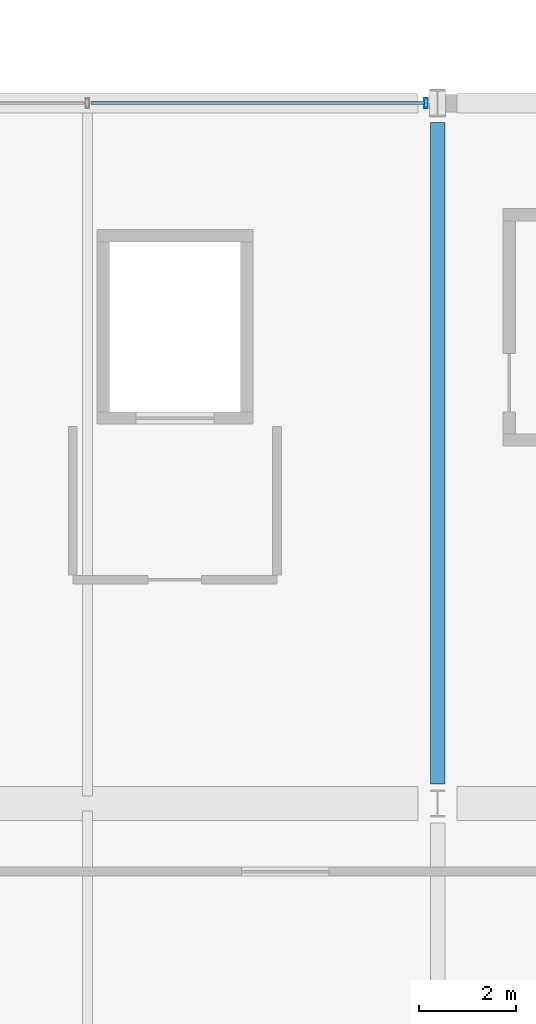
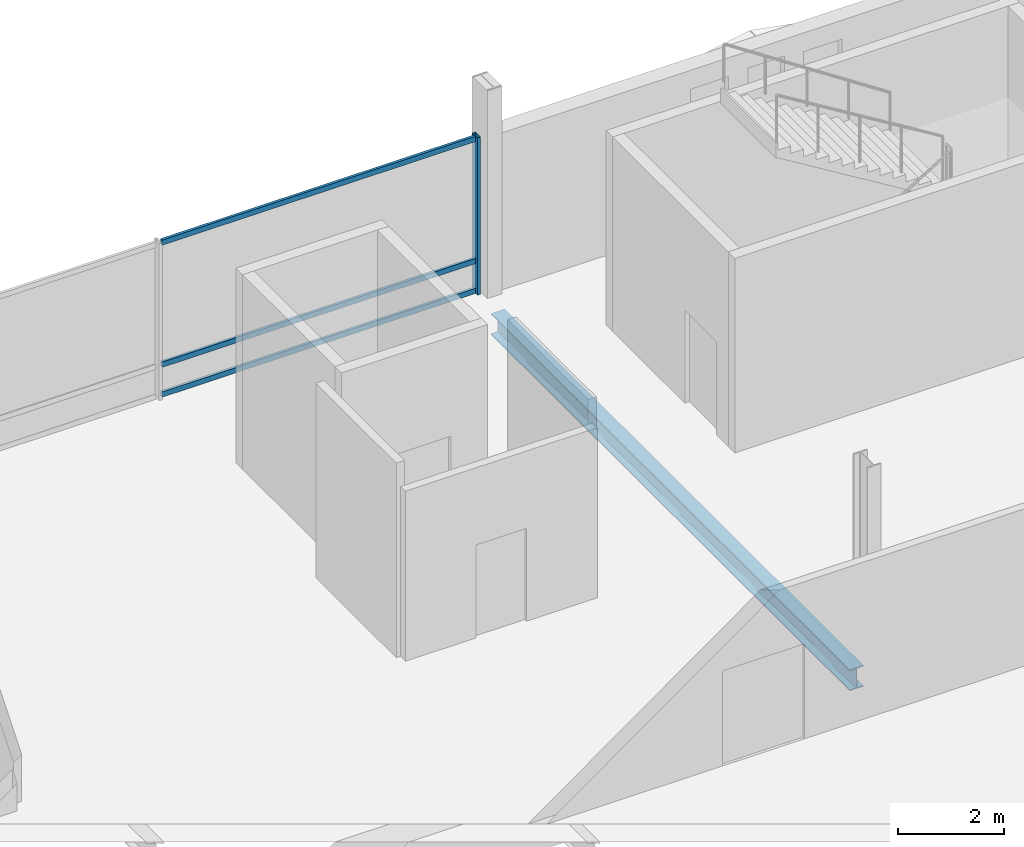
# One storey, part 128 of 220: 4 members, 1 beam, 1 element without a shape of its own.
"""IFC4 building model written with IfcOpenShell, lengths in metres."""

from ifc_helpers import new_model, si_unit, direction, frame, origin, origin_2d, place, context, subcontext, project, spatial, hollow_rectangle, i_section, extrude, material, material_profile, profile_set, type_object, element, aggregate, save


model = new_model("IFC4")

# Units and contexts
model_context = context("Model", 3, precision=1e-05, world=origin(), true_north=direction((0.0, 1.0)))
body_context = subcontext(model_context, "Body", "Model", "MODEL_VIEW")
ifc_project = project(units=[si_unit("LENGTHUNIT", "METRE"), si_unit("AREAUNIT", "SQUARE_METRE"), si_unit("VOLUMEUNIT", "CUBIC_METRE"), si_unit("PLANEANGLEUNIT", "RADIAN"), si_unit("MASSUNIT", "GRAM", prefix="KILO")], contexts=[model_context])

# Site, building, storey
site_placement = place(None, origin())
site = spatial("IfcSite", under=ifc_project, at=site_placement, CompositionType="ELEMENT")
building_placement = place(site_placement, origin())
building = spatial("IfcBuilding", under=site, at=building_placement, Name="Cendralis Lancet Convention Centre", CompositionType="ELEMENT")
storey_placement = place(building_placement, frame((0.0, 0.0, 5.39990234375)))
storey = spatial("IfcBuildingStorey", under=building, at=storey_placement, Name="L01", CompositionType="ELEMENT", Elevation=5.39990234375)

# Curtain wall, members
ifc_material_1 = material(Name="Anodised bronze architectural aluminium", Category="aluminium")
curtain_wall_type = type_object("IfcCurtainWallType", Name="ARC-CW-BL01", PredefinedType="USERDEFINED", material=ifc_material_1)
curtain_wall_placement = place(storey_placement, origin())
curtain_wall = element("IfcCurtainWall", 1, at=curtain_wall_placement, inside=storey, type_object=curtain_wall_type, Name="L01 Curtain Wall CW-BL1 #149", ObjectType="CURTAIN WALL", PredefinedType="USERDEFINED")
ifc_material_profile_1 = material_profile(ifc_material_1, hollow_rectangle(XDim=0.070068359375, YDim=0.199951171875, WallThickness=0.0048828125, at=origin_2d()), Name="AL-MULL 70x200x5.0")
ifc_profile_set_1 = profile_set([ifc_material_profile_1], Name="Anodised bronze architectural aluminium")
member_type_1 = type_object("IfcMemberType", Name="ARC-CW-ML02", PredefinedType="MULLION", material=ifc_profile_set_1)
member_1_placement = place(storey_placement, frame((196.56494140625, 136.800048828125, 0.0), z_axis=(0.0, 0.0, 1.0), x_axis=(1.0, 0.0, 0.0)))
member_1 = element("IfcMember", 2, at=member_1_placement, type_object=member_type_1, Name="Mullion CW2-CW-BL1-L01-149-M2", PredefinedType="MULLION", context=body_context, shape_type="SweptSolid", body=[
    extrude(hollow_rectangle(XDim=0.070068359375, YDim=0.199951171875, WallThickness=0.0048828125, at=origin_2d()), origin(), (0.0, 0.0, 1.0), 3.635009765625),
])
ifc_material_profile_2 = material_profile(ifc_material_1, hollow_rectangle(XDim=0.06005859375, YDim=0.1201171875, WallThickness=0.00390625, at=origin_2d()), Name="AL-TRAN 60x120x4.0")
ifc_profile_set_2 = profile_set([ifc_material_profile_2], Name="Anodised bronze architectural aluminium")
member_type_2 = type_object("IfcMemberType", Name="ARC-CW-TR01", PredefinedType="USERDEFINED", material=ifc_profile_set_2)
member_2_placement = place(storey_placement, frame((189.669921875, 136.800048828125, 0.06005859375), z_axis=(1.0, 0.0, 0.0), x_axis=(0.0, 1.0, 0.0)))
member_2 = element("IfcMember", 3, at=member_2_placement, type_object=member_type_2, Name="Transom CW2-CW-BL1-L01-149-T1BOT", ObjectType="TRANSOM", PredefinedType="USERDEFINED", context=body_context, shape_type="SweptSolid", body=[
    extrude(hollow_rectangle(XDim=0.06005859375, YDim=0.1201171875, WallThickness=0.00390625, at=origin_2d()), origin(), (0.0, 0.0, 1.0), 6.860107421875),
])
member_3_placement = place(storey_placement, frame((189.669921875, 136.800048828125, 0.75), z_axis=(1.0, 0.0, 0.0), x_axis=(0.0, 1.0, 0.0)))
member_3 = element("IfcMember", 4, at=member_3_placement, type_object=member_type_2, Name="Transom CW2-CW-BL1-L01-149-T1MID", ObjectType="TRANSOM", PredefinedType="USERDEFINED", context=body_context, shape_type="SweptSolid", body=[
    extrude(hollow_rectangle(XDim=0.06005859375, YDim=0.1201171875, WallThickness=0.00390625, at=origin_2d()), origin(), (0.0, 0.0, 1.0), 6.860107421875),
])
member_4_placement = place(storey_placement, frame((189.669921875, 136.800048828125, 3.5751953125), z_axis=(1.0, 0.0, 0.0), x_axis=(0.0, 1.0, 0.0)))
member_4 = element("IfcMember", 5, at=member_4_placement, type_object=member_type_2, Name="Transom CW2-CW-BL1-L01-149-T1TOP", ObjectType="TRANSOM", PredefinedType="USERDEFINED", context=body_context, shape_type="SweptSolid", body=[
    extrude(hollow_rectangle(XDim=0.06005859375, YDim=0.1201171875, WallThickness=0.00390625, at=origin_2d()), origin(), (0.0, 0.0, 1.0), 6.860107421875),
])
aggregate(curtain_wall, [member_1, member_2, member_3, member_4])

# Beam
ifc_material_2 = material(Name="Steel S355", Category="steel")
ifc_material_profile_3 = material_profile(ifc_material_2, i_section(OverallWidth=0.300048828125, OverallDepth=0.489990234375, WebThickness=0.011962890625, FlangeThickness=0.02294921875, FilletRadius=0.027099609375, at=origin_2d()), Name="HEA 500")
ifc_profile_set_3 = profile_set([ifc_material_profile_3], Name="Steel S355")
beam_type = type_object("IfcBeamType", Name="STR-BM-SG12", PredefinedType="BEAM", material=ifc_profile_set_3)
beam_placement = place(storey_placement, frame((196.800048828125, 122.800048828125, -0.52490234375), z_axis=(0.0, 1.0, 0.0), x_axis=(-1.0, 0.0, 0.0)))
element("IfcBeam", 6, at=beam_placement, inside=storey, type_object=beam_type, Name="L01 Beam SG12 #1680", PredefinedType="BEAM", context=body_context, shape_type="SweptSolid", body=[
    extrude(i_section(OverallWidth=0.300048828125, OverallDepth=0.489990234375, WebThickness=0.011962890625, FlangeThickness=0.02294921875, FilletRadius=0.027099609375, at=origin_2d()), origin(), (0.0, 0.0, 1.0), 13.599853515625),
])

save(model, "model.ifc")
